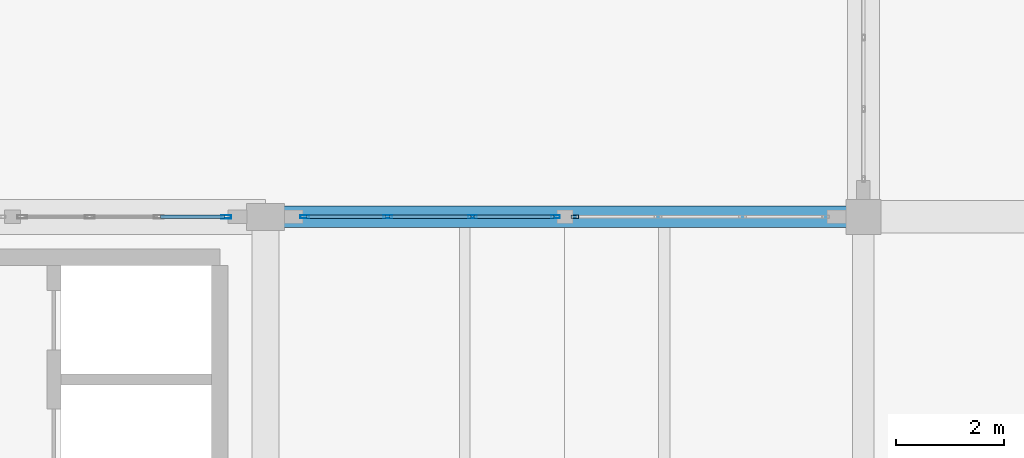
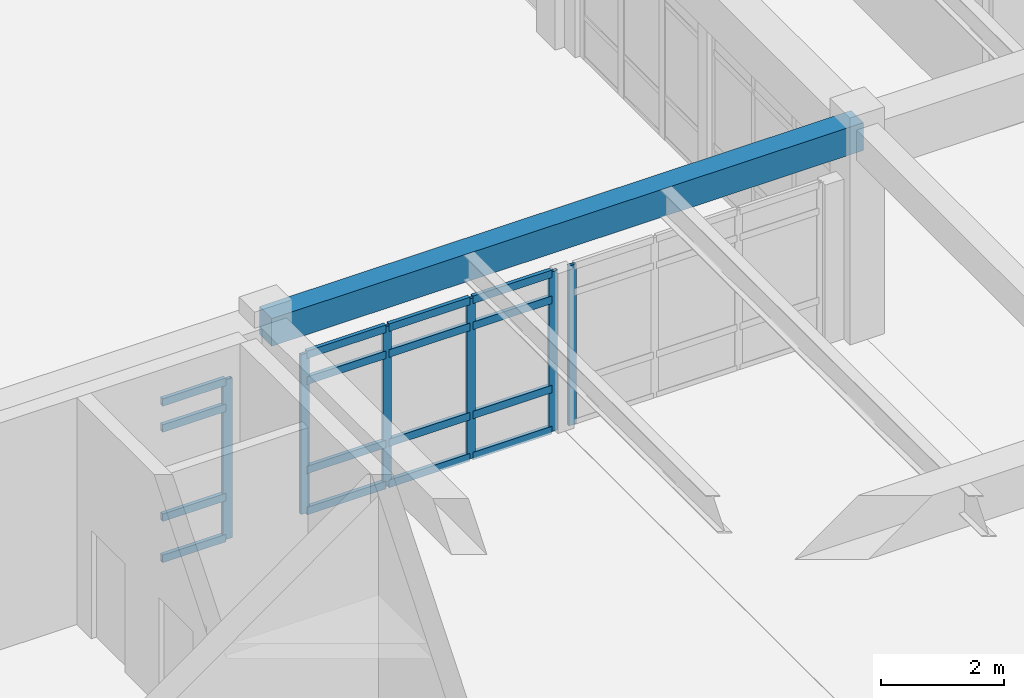
# One storey, part 26 of 109: 22 members, 1 beam, 3 elements without a shape of their own.
"""IFC4 building model written with IfcOpenShell, lengths in metres."""

import ifcopenshell
import ifcopenshell.guid

model = None  # the IFC model being written
_history = None  # IfcOwnerHistory: only IFC2X3 demands one
_inside = {}  # id of a spatial element -> (the spatial element, [elements in it])
_under = {}  # id of a project, library or spatial element -> (it, [spatial elements below it])
_declared = {}  # id of a project -> (the project, [libraries it declares])
_typed = {}  # id of a type object -> (the type object, [elements of that type])
_made_of = {}  # id of a material, layer set ... -> (it, [elements and type objects made of it])


def new_model(schema):
    """Start an empty IFC model of exactly this schema.

    Asked for "IFC4X3", IfcOpenShell would pick the latest addendum, in which some entities
    have other attributes; the version numbers below select the first issue.
    IFC2X3 requires an IfcOwnerHistory on every rooted entity: one is made here for all.
    """
    global model, _history
    if schema == "IFC4X3":
        model = ifcopenshell.file(schema_version=(4, 3, 0, 0))
    else:
        model = ifcopenshell.file(schema=schema)
    _inside.clear()
    _under.clear()
    _declared.clear()
    _typed.clear()
    _made_of.clear()
    _history = None
    if model.schema == "IFC2X3":
        org = make("IfcOrganization", Name="unknown")
        user = make(
            "IfcPersonAndOrganization",
            ThePerson=make("IfcPerson", FamilyName="unknown"),
            TheOrganization=org,
        )
        app = make(
            "IfcApplication",
            ApplicationDeveloper=org,
            Version="unknown",
            ApplicationFullName="unknown",
            ApplicationIdentifier="unknown",
        )
        _history = make(
            "IfcOwnerHistory",
            OwningUser=user,
            OwningApplication=app,
            ChangeAction="ADDED",
            CreationDate=0,
        )
    return model


def make(cls, **values):
    """One entity of the class cls with the attributes given. An attribute that is None is left unset."""
    return model.create_entity(
        cls, **{name: value for name, value in values.items() if value is not None}
    )


def rooted(cls, **values):
    """An entity with a GlobalId (a new one), such as an element, a storey or a relation."""
    return make(cls, GlobalId=ifcopenshell.guid.new(), OwnerHistory=_history, **values)


def si_unit(unit_type, name, prefix=None):
    """IfcSIUnit, for example si_unit("LENGTHUNIT", "METRE", prefix="MILLI")."""
    return make("IfcSIUnit", UnitType=unit_type, Prefix=prefix, Name=name)


def assignment(units):
    """IfcUnitAssignment: the units of a project."""
    return None if units is None else make("IfcUnitAssignment", Units=units)


def point(xyz):
    """IfcCartesianPoint."""
    return None if xyz is None else make("IfcCartesianPoint", Coordinates=xyz)


def direction(xyz):
    """IfcDirection."""
    return None if xyz is None else make("IfcDirection", DirectionRatios=xyz)


def frame(location, z_axis=None, x_axis=None):
    """IfcAxis2Placement3D, a coordinate frame: its origin and axes. An axis left out is left unset."""
    return make(
        "IfcAxis2Placement3D",
        Location=point(location),
        Axis=direction(z_axis),
        RefDirection=direction(x_axis),
    )


def frame_2d(location, x_axis=None):
    """IfcAxis2Placement2D, a coordinate frame in the plane: its origin and x axis."""
    return make(
        "IfcAxis2Placement2D", Location=point(location), RefDirection=direction(x_axis)
    )


def origin():
    """The frame at (0, 0, 0) with its axes left unset."""
    return frame((0.0, 0.0, 0.0))


def origin_2d():
    """The frame at (0, 0) in the plane with its x axis left unset."""
    return frame_2d((0.0, 0.0))


def place(relative_to, where):
    """IfcLocalPlacement: puts the frame where relative to a parent placement (None: the world)."""
    return make(
        "IfcLocalPlacement", PlacementRelTo=relative_to, RelativePlacement=where
    )


def context(
    kind, dimensions, precision=None, world=None, true_north=None, identifier=None
):
    """IfcGeometricRepresentationContext, for example the 3D "Model" context."""
    return make(
        "IfcGeometricRepresentationContext",
        ContextIdentifier=identifier,
        ContextType=kind,
        CoordinateSpaceDimension=dimensions,
        Precision=precision,
        WorldCoordinateSystem=world,
        TrueNorth=true_north,
    )


def subcontext(parent, identifier, kind, view, scale=None):
    """IfcGeometricRepresentationSubContext, for example "Body" below "Model"."""
    return make(
        "IfcGeometricRepresentationSubContext",
        ContextIdentifier=identifier,
        ContextType=kind,
        ParentContext=parent,
        TargetScale=scale,
        TargetView=view,
    )


def project(units=None, contexts=None):
    """IfcProject with its units and contexts."""
    return rooted(
        "IfcProject",
        Name="project",
        RepresentationContexts=contexts,
        UnitsInContext=assignment(units),
    )


def spatial(cls, under=None, at=None, **own):
    """A site, building, storey or space (cls), placed at a placement, below another one or the project."""
    s = rooted(cls, ObjectPlacement=at, **own)
    if under is not None:
        _under.setdefault(under.id(), (under, []))[1].append(s)
    return s


def profile(cls, at=None, kind="AREA", **sizes):
    """A parametric profile (cls). Its sizes go by their IFC names, for example OverallWidth=200.0."""
    return make(cls, ProfileType=kind, Position=at, **sizes)


def rectangle(**sizes):
    """IfcRectangleProfileDef."""
    return profile("IfcRectangleProfileDef", **sizes)


def hollow_rectangle(**sizes):
    """IfcRectangleHollowProfileDef."""
    return profile("IfcRectangleHollowProfileDef", **sizes)


def extrude(swept, where, along, depth):
    """IfcExtrudedAreaSolid: the profile swept, set in the frame where, extruded along a direction by depth."""
    return make(
        "IfcExtrudedAreaSolid",
        SweptArea=swept,
        Position=where,
        ExtrudedDirection=direction(along),
        Depth=depth,
    )


def shape(context_of_items, identifier, shape_type, items):
    """IfcShapeRepresentation: the items that make up one representation, for example the "Body"."""
    return make(
        "IfcShapeRepresentation",
        ContextOfItems=context_of_items,
        RepresentationIdentifier=identifier,
        RepresentationType=shape_type,
        Items=items,
    )


def material(Name=None, Category=None):
    """IfcMaterial."""
    return make("IfcMaterial", Name=Name, Category=Category)


def layer(
    of_material, thickness, ventilated=None, Name=None, Category=None, Priority=None
):
    """IfcMaterialLayer: one layer of a wall or slab, of a material (None: an air gap)."""
    return make(
        "IfcMaterialLayer",
        Material=of_material,
        LayerThickness=thickness,
        IsVentilated=ventilated,
        Name=Name,
        Category=Category,
        Priority=Priority,
    )


def layer_set(layers, Name=None):
    """IfcMaterialLayerSet."""
    return make("IfcMaterialLayerSet", MaterialLayers=layers, LayerSetName=Name)


def material_profile(
    of_material, cross_section, Name=None, Category=None, Priority=None
):
    """IfcMaterialProfile: a cross section and its material."""
    return make(
        "IfcMaterialProfile",
        Name=Name,
        Material=of_material,
        Profile=cross_section,
        Priority=Priority,
        Category=Category,
    )


def profile_set(profiles, Name=None, composite=None):
    """IfcMaterialProfileSet."""
    return make(
        "IfcMaterialProfileSet",
        Name=Name,
        MaterialProfiles=profiles,
        CompositeProfile=composite,
    )


def made_of(thing, what):
    """Note that an element or type object is made of a material, layer set ...; save() writes the relation."""
    if what is not None:
        _made_of.setdefault(what.id(), (what, []))[1].append(thing)
    return thing


def type_object(cls, material=None, **own):
    """A type object (cls), such as IfcWallType, which elements share."""
    return made_of(rooted(cls, **own), material)


def element(
    cls,
    number,
    at=None,
    inside=None,
    cuts=None,
    type_object=None,
    material=None,
    context=None,
    identifier="Body",
    shape_type=None,
    held_by="IfcProductDefinitionShape",
    body=None,
    shapes=None,
    **own,
):
    """One element of the class cls, such as IfcWall. Its Tag is "e" and its number.

    at: its placement. inside: the storey or other place that contains it. cuts: it is an
    opening in that element (IfcRelVoidsElement). A single representation is given by context,
    identifier, shape_type and body (its items); several are given by shapes. held_by: the class
    of the entity that holds the representations. save() writes the other relations.
    """
    e = rooted(cls, Tag="e%d" % number, ObjectPlacement=at, **own)
    if body is not None:
        shapes = [shape(context, identifier, shape_type, body)]
    if shapes is not None:
        e.Representation = make(held_by, Representations=shapes)
    if inside is not None:
        _inside.setdefault(inside.id(), (inside, []))[1].append(e)
    if cuts is not None:
        rooted(
            "IfcRelVoidsElement", RelatingBuildingElement=cuts, RelatedOpeningElement=e
        )
    if type_object is not None:
        _typed.setdefault(type_object.id(), (type_object, []))[1].append(e)
    return made_of(e, material)


def aggregate(whole, parts):
    """IfcRelAggregates: a whole, such as a stair, and the parts it consists of."""
    return rooted("IfcRelAggregates", RelatingObject=whole, RelatedObjects=parts)


def save(model, path):
    """Write the relations noted so far, then the file.

    IfcRelAggregates (storeys below a building ...), IfcRelContainedInSpatialStructure (elements
    in a storey), IfcRelDefinesByType, IfcRelAssociatesMaterial and IfcRelDeclares: one each for
    every whole, place, type object, material and project.
    """
    for whole, parts in _under.values():
        aggregate(whole, parts)
    for where, things in _inside.values():
        rooted(
            "IfcRelContainedInSpatialStructure",
            RelatedElements=things,
            RelatingStructure=where,
        )
    for kind, things in _typed.values():
        rooted("IfcRelDefinesByType", RelatedObjects=things, RelatingType=kind)
    for what, things in _made_of.values():
        rooted("IfcRelAssociatesMaterial", RelatedObjects=things, RelatingMaterial=what)
    for by, libraries in _declared.values():
        rooted("IfcRelDeclares", RelatingContext=by, RelatedDefinitions=libraries)
    model.write(path)


model = new_model("IFC4")

# Units and contexts
model_context = context("Model", 3, precision=1e-05, world=origin(), true_north=direction((0.0, 1.0)))
body_context = subcontext(model_context, "Body", "Model", "MODEL_VIEW")
ifc_project = project(units=[si_unit("LENGTHUNIT", "METRE"), si_unit("AREAUNIT", "SQUARE_METRE"), si_unit("VOLUMEUNIT", "CUBIC_METRE"), si_unit("PLANEANGLEUNIT", "RADIAN"), si_unit("MASSUNIT", "GRAM", prefix="KILO")], contexts=[model_context])

# Site, building, storey
site_placement = place(None, origin())
site = spatial("IfcSite", under=ifc_project, at=site_placement, CompositionType="ELEMENT")
building_placement = place(site_placement, origin())
building = spatial("IfcBuilding", under=site, at=building_placement, Name="Fikremerkos Civic Library", CompositionType="ELEMENT")
storey_placement = place(building_placement, frame((0.0, 0.0, 5.39990234375)))
storey = spatial("IfcBuildingStorey", under=building, at=storey_placement, Name="L01", CompositionType="ELEMENT", Elevation=5.39990234375)

# Curtain wall, member
ifc_material_1 = material(Name="Anodized aluminium Frame", Category="aluminium")
ifc_layer_1 = layer(ifc_material_1, 0.159912109375, Name="Anodized aluminium Frame")
ifc_layer_set_1 = layer_set([ifc_layer_1], Name="Anodized aluminium Frame")
curtain_wall_type_1 = type_object("IfcCurtainWallType", Name="Unitised curtain wall CW-09 3600x3400", PredefinedType="USERDEFINED", material=ifc_layer_set_1)
curtain_wall_1_placement = place(storey_placement, origin())
curtain_wall_1 = element("IfcCurtainWall", 1, at=curtain_wall_1_placement, inside=storey, type_object=curtain_wall_type_1, Name="Unitised curtain wall CW-09 L01 #99", ObjectType="UNITISED CURTAIN WALL", PredefinedType="USERDEFINED")
ifc_material_profile_1 = material_profile(ifc_material_1, hollow_rectangle(XDim=0.06494140625, YDim=0.179931640625, WallThickness=0.00439453125, at=origin_2d()), Name="ALU 180x65x4.5")
ifc_profile_set_1 = profile_set([ifc_material_profile_1], Name="Anodized aluminium Frame")
member_type_1 = type_object("IfcMemberType", Name="Curtain mullion CWM-01 ALU 180x65x4.5", PredefinedType="MULLION", material=ifc_profile_set_1)
member_1_placement = place(storey_placement, frame((112.969482421875, 31.199951171875, 0.0), z_axis=(0.0, 0.0, 1.0), x_axis=(0.0, 1.0, 0.0)))
member_1 = element("IfcMember", 2, at=member_1_placement, type_object=member_type_1, Name="CW-09 mullion 4", PredefinedType="MULLION", context=body_context, shape_type="SweptSolid", body=[
    extrude(hollow_rectangle(XDim=0.06494140625, YDim=0.179931640625, WallThickness=0.00439453125, at=origin_2d()), origin(), (0.0, 0.0, 1.0), 3.170166015625),
])

# Curtain wall, members
ifc_layer_2 = layer(ifc_material_1, 0.159912109375, Name="Anodized aluminium Frame")
ifc_layer_set_2 = layer_set([ifc_layer_2], Name="Anodized aluminium Frame")
curtain_wall_type_2 = type_object("IfcCurtainWallType", Name="Unitised curtain wall CW-10 4000x3400", PredefinedType="USERDEFINED", material=ifc_layer_set_2)
curtain_wall_2_placement = place(storey_placement, origin())
curtain_wall_2 = element("IfcCurtainWall", 3, at=curtain_wall_2_placement, inside=storey, type_object=curtain_wall_type_2, Name="Unitised curtain wall CW-10 L01 #100", ObjectType="UNITISED CURTAIN WALL", PredefinedType="USERDEFINED")
ifc_material_profile_2 = material_profile(ifc_material_1, hollow_rectangle(XDim=0.06005859375, YDim=0.159912109375, WallThickness=0.00390625, at=origin_2d()), Name="ALU 160x60x4")
ifc_profile_set_2 = profile_set([ifc_material_profile_2], Name="Anodized aluminium Frame")
member_type_2 = type_object("IfcMemberType", Name="Curtain mullion CWM-02 ALU 160x60x4", PredefinedType="MULLION", material=ifc_profile_set_2)
member_2_placement = place(storey_placement, frame((114.427978515625, 31.199951171875, 0.0), z_axis=(0.0, 0.0, 1.0), x_axis=(0.0, 1.0, 0.0)))
member_2 = element("IfcMember", 4, at=member_2_placement, type_object=member_type_2, Name="CW-10 mullion 1", PredefinedType="MULLION", context=body_context, shape_type="SweptSolid", body=[
    extrude(hollow_rectangle(XDim=0.06005859375, YDim=0.159912109375, WallThickness=0.00390625, at=origin_2d()), origin(), (0.0, 0.0, 1.0), 3.170166015625),
])
member_3_placement = place(storey_placement, frame((115.969482421875, 31.199951171875, 0.0), z_axis=(0.0, 0.0, 1.0), x_axis=(0.0, 1.0, 0.0)))
member_3 = element("IfcMember", 5, at=member_3_placement, type_object=member_type_2, Name="CW-10 mullion 2", PredefinedType="MULLION", context=body_context, shape_type="SweptSolid", body=[
    extrude(hollow_rectangle(XDim=0.06005859375, YDim=0.159912109375, WallThickness=0.00390625, at=origin_2d()), origin(), (0.0, 0.0, 1.0), 3.170166015625),
])
member_4_placement = place(storey_placement, frame((117.541015625, 31.199951171875, 0.0), z_axis=(0.0, 0.0, 1.0), x_axis=(0.0, 1.0, 0.0)))
member_4 = element("IfcMember", 6, at=member_4_placement, type_object=member_type_2, Name="CW-10 mullion 3", PredefinedType="MULLION", context=body_context, shape_type="SweptSolid", body=[
    extrude(hollow_rectangle(XDim=0.06005859375, YDim=0.159912109375, WallThickness=0.00390625, at=origin_2d()), origin(), (0.0, 0.0, 1.0), 3.170166015625),
])
member_5_placement = place(storey_placement, frame((119.08251953125, 31.199951171875, 0.0), z_axis=(0.0, 0.0, 1.0), x_axis=(0.0, 1.0, 0.0)))
member_5 = element("IfcMember", 7, at=member_5_placement, type_object=member_type_2, Name="CW-10 mullion 4", PredefinedType="MULLION", context=body_context, shape_type="SweptSolid", body=[
    extrude(hollow_rectangle(XDim=0.06005859375, YDim=0.159912109375, WallThickness=0.00390625, at=origin_2d()), origin(), (0.0, 0.0, 1.0), 3.170166015625),
])

# Curtain wall, member
ifc_layer_3 = layer(ifc_material_1, 0.159912109375, Name="Anodized aluminium Frame")
ifc_layer_set_3 = layer_set([ifc_layer_3], Name="Anodized aluminium Frame")
curtain_wall_type_3 = type_object("IfcCurtainWallType", Name="Unitised curtain wall CW-11 3200x3400", PredefinedType="USERDEFINED", material=ifc_layer_set_3)
curtain_wall_3_placement = place(storey_placement, origin())
curtain_wall_3 = element("IfcCurtainWall", 8, at=curtain_wall_3_placement, inside=storey, type_object=curtain_wall_type_3, Name="Unitised curtain wall CW-11 L01 #101", ObjectType="UNITISED CURTAIN WALL", PredefinedType="USERDEFINED")
ifc_material_profile_3 = material_profile(ifc_material_1, hollow_rectangle(XDim=0.06005859375, YDim=0.139892578125, WallThickness=0.00390625, at=origin_2d()), Name="ALU 140x60x4")
ifc_profile_set_3 = profile_set([ifc_material_profile_3], Name="Anodized aluminium Frame")
member_type_3 = type_object("IfcMemberType", Name="Curtain mullion CWM-03 ALU 140x60x4", PredefinedType="MULLION", material=ifc_profile_set_3)
member_6_placement = place(storey_placement, frame((119.4423828125, 31.199951171875, 0.0), z_axis=(0.0, 0.0, 1.0), x_axis=(0.0, 1.0, 0.0)))
member_6 = element("IfcMember", 9, at=member_6_placement, type_object=member_type_3, Name="CW-11 mullion 1", PredefinedType="MULLION", context=body_context, shape_type="SweptSolid", body=[
    extrude(hollow_rectangle(XDim=0.06005859375, YDim=0.139892578125, WallThickness=0.00390625, at=origin_2d()), origin(), (0.0, 0.0, 1.0), 3.170166015625),
])
aggregate(curtain_wall_3, [member_6])

# Member
ifc_material_profile_4 = material_profile(ifc_material_1, hollow_rectangle(XDim=0.070068359375, YDim=0.14990234375, WallThickness=0.00439453125, at=origin_2d()), Name="ALU 150x70x4.5")
ifc_profile_set_4 = profile_set([ifc_material_profile_4], Name="Anodized aluminium Frame")
member_type_4 = type_object("IfcMemberType", Name="Curtain transom CWT-01 ALU 150x70x4.5", PredefinedType="USERDEFINED", material=ifc_profile_set_4)
member_7_placement = place(storey_placement, frame((111.750732421875, 31.199951171875, 0.03515625), z_axis=(1.0, 0.0, 0.0), x_axis=(0.0, 1.0, 0.0)))
member_7 = element("IfcMember", 10, at=member_7_placement, type_object=member_type_4, Name="CW-09 transom 3.1", ObjectType="TRANSOM", PredefinedType="USERDEFINED", context=body_context, shape_type="SweptSolid", body=[
    extrude(hollow_rectangle(XDim=0.070068359375, YDim=0.14990234375, WallThickness=0.00439453125, at=origin_2d()), origin(), (0.0, 0.0, 1.0), 1.186279296875),
])

member_8_placement = place(storey_placement, frame((111.750732421875, 31.199951171875, 0.85009765625), z_axis=(1.0, 0.0, 0.0), x_axis=(0.0, 1.0, 0.0)))
member_8 = element("IfcMember", 11, at=member_8_placement, type_object=member_type_4, Name="CW-09 transom 3.2", ObjectType="TRANSOM", PredefinedType="USERDEFINED", context=body_context, shape_type="SweptSolid", body=[
    extrude(hollow_rectangle(XDim=0.070068359375, YDim=0.14990234375, WallThickness=0.00439453125, at=origin_2d()), origin(), (0.0, 0.0, 1.0), 1.186279296875),
])

member_9_placement = place(storey_placement, frame((111.750732421875, 31.199951171875, 2.6201171875), z_axis=(1.0, 0.0, 0.0), x_axis=(0.0, 1.0, 0.0)))
member_9 = element("IfcMember", 12, at=member_9_placement, type_object=member_type_4, Name="CW-09 transom 3.3", ObjectType="TRANSOM", PredefinedType="USERDEFINED", context=body_context, shape_type="SweptSolid", body=[
    extrude(hollow_rectangle(XDim=0.070068359375, YDim=0.14990234375, WallThickness=0.00439453125, at=origin_2d()), origin(), (0.0, 0.0, 1.0), 1.186279296875),
])

member_10_placement = place(storey_placement, frame((111.750732421875, 31.199951171875, 3.135009765625), z_axis=(1.0, 0.0, 0.0), x_axis=(0.0, 1.0, 0.0)))
member_10 = element("IfcMember", 13, at=member_10_placement, type_object=member_type_4, Name="CW-09 transom 3.4", ObjectType="TRANSOM", PredefinedType="USERDEFINED", context=body_context, shape_type="SweptSolid", body=[
    extrude(hollow_rectangle(XDim=0.070068359375, YDim=0.14990234375, WallThickness=0.00439453125, at=origin_2d()), origin(), (0.0, 0.0, 1.0), 1.186279296875),
])

aggregate(curtain_wall_1, [member_1, member_7, member_8, member_9, member_10])

member_11_placement = place(storey_placement, frame((114.4580078125, 31.199951171875, 0.03515625), z_axis=(1.0, 0.0, 0.0), x_axis=(0.0, 1.0, 0.0)))
member_11 = element("IfcMember", 14, at=member_11_placement, type_object=member_type_4, Name="CW-10 transom 1.1", ObjectType="TRANSOM", PredefinedType="USERDEFINED", context=body_context, shape_type="SweptSolid", body=[
    extrude(hollow_rectangle(XDim=0.070068359375, YDim=0.14990234375, WallThickness=0.00439453125, at=origin_2d()), origin(), (0.0, 0.0, 1.0), 1.4814453125),
])

member_12_placement = place(storey_placement, frame((114.4580078125, 31.199951171875, 0.85009765625), z_axis=(1.0, 0.0, 0.0), x_axis=(0.0, 1.0, 0.0)))
member_12 = element("IfcMember", 15, at=member_12_placement, type_object=member_type_4, Name="CW-10 transom 1.2", ObjectType="TRANSOM", PredefinedType="USERDEFINED", context=body_context, shape_type="SweptSolid", body=[
    extrude(hollow_rectangle(XDim=0.070068359375, YDim=0.14990234375, WallThickness=0.00439453125, at=origin_2d()), origin(), (0.0, 0.0, 1.0), 1.4814453125),
])

member_13_placement = place(storey_placement, frame((114.4580078125, 31.199951171875, 2.6201171875), z_axis=(1.0, 0.0, 0.0), x_axis=(0.0, 1.0, 0.0)))
member_13 = element("IfcMember", 16, at=member_13_placement, type_object=member_type_4, Name="CW-10 transom 1.3", ObjectType="TRANSOM", PredefinedType="USERDEFINED", context=body_context, shape_type="SweptSolid", body=[
    extrude(hollow_rectangle(XDim=0.070068359375, YDim=0.14990234375, WallThickness=0.00439453125, at=origin_2d()), origin(), (0.0, 0.0, 1.0), 1.4814453125),
])

member_14_placement = place(storey_placement, frame((114.4580078125, 31.199951171875, 3.135009765625), z_axis=(1.0, 0.0, 0.0), x_axis=(0.0, 1.0, 0.0)))
member_14 = element("IfcMember", 17, at=member_14_placement, type_object=member_type_4, Name="CW-10 transom 1.4", ObjectType="TRANSOM", PredefinedType="USERDEFINED", context=body_context, shape_type="SweptSolid", body=[
    extrude(hollow_rectangle(XDim=0.070068359375, YDim=0.14990234375, WallThickness=0.00439453125, at=origin_2d()), origin(), (0.0, 0.0, 1.0), 1.4814453125),
])

member_15_placement = place(storey_placement, frame((115.99951171875, 31.199951171875, 0.03515625), z_axis=(1.0, 0.0, 0.0), x_axis=(0.0, 1.0, 0.0)))
member_15 = element("IfcMember", 18, at=member_15_placement, type_object=member_type_4, Name="CW-10 transom 2.1", ObjectType="TRANSOM", PredefinedType="USERDEFINED", context=body_context, shape_type="SweptSolid", body=[
    extrude(hollow_rectangle(XDim=0.070068359375, YDim=0.14990234375, WallThickness=0.00439453125, at=origin_2d()), origin(), (0.0, 0.0, 1.0), 1.511474609375),
])

member_16_placement = place(storey_placement, frame((115.99951171875, 31.199951171875, 0.85009765625), z_axis=(1.0, 0.0, 0.0), x_axis=(0.0, 1.0, 0.0)))
member_16 = element("IfcMember", 19, at=member_16_placement, type_object=member_type_4, Name="CW-10 transom 2.2", ObjectType="TRANSOM", PredefinedType="USERDEFINED", context=body_context, shape_type="SweptSolid", body=[
    extrude(hollow_rectangle(XDim=0.070068359375, YDim=0.14990234375, WallThickness=0.00439453125, at=origin_2d()), origin(), (0.0, 0.0, 1.0), 1.511474609375),
])

member_17_placement = place(storey_placement, frame((115.99951171875, 31.199951171875, 2.6201171875), z_axis=(1.0, 0.0, 0.0), x_axis=(0.0, 1.0, 0.0)))
member_17 = element("IfcMember", 20, at=member_17_placement, type_object=member_type_4, Name="CW-10 transom 2.3", ObjectType="TRANSOM", PredefinedType="USERDEFINED", context=body_context, shape_type="SweptSolid", body=[
    extrude(hollow_rectangle(XDim=0.070068359375, YDim=0.14990234375, WallThickness=0.00439453125, at=origin_2d()), origin(), (0.0, 0.0, 1.0), 1.511474609375),
])

member_18_placement = place(storey_placement, frame((115.99951171875, 31.199951171875, 3.135009765625), z_axis=(1.0, 0.0, 0.0), x_axis=(0.0, 1.0, 0.0)))
member_18 = element("IfcMember", 21, at=member_18_placement, type_object=member_type_4, Name="CW-10 transom 2.4", ObjectType="TRANSOM", PredefinedType="USERDEFINED", context=body_context, shape_type="SweptSolid", body=[
    extrude(hollow_rectangle(XDim=0.070068359375, YDim=0.14990234375, WallThickness=0.00439453125, at=origin_2d()), origin(), (0.0, 0.0, 1.0), 1.511474609375),
])

member_19_placement = place(storey_placement, frame((117.571044921875, 31.199951171875, 0.03515625), z_axis=(1.0, 0.0, 0.0), x_axis=(0.0, 1.0, 0.0)))
member_19 = element("IfcMember", 22, at=member_19_placement, type_object=member_type_4, Name="CW-10 transom 3.1", ObjectType="TRANSOM", PredefinedType="USERDEFINED", context=body_context, shape_type="SweptSolid", body=[
    extrude(hollow_rectangle(XDim=0.070068359375, YDim=0.14990234375, WallThickness=0.00439453125, at=origin_2d()), origin(), (0.0, 0.0, 1.0), 1.4814453125),
])

member_20_placement = place(storey_placement, frame((117.571044921875, 31.199951171875, 0.85009765625), z_axis=(1.0, 0.0, 0.0), x_axis=(0.0, 1.0, 0.0)))
member_20 = element("IfcMember", 23, at=member_20_placement, type_object=member_type_4, Name="CW-10 transom 3.2", ObjectType="TRANSOM", PredefinedType="USERDEFINED", context=body_context, shape_type="SweptSolid", body=[
    extrude(hollow_rectangle(XDim=0.070068359375, YDim=0.14990234375, WallThickness=0.00439453125, at=origin_2d()), origin(), (0.0, 0.0, 1.0), 1.4814453125),
])

member_21_placement = place(storey_placement, frame((117.571044921875, 31.199951171875, 2.6201171875), z_axis=(1.0, 0.0, 0.0), x_axis=(0.0, 1.0, 0.0)))
member_21 = element("IfcMember", 24, at=member_21_placement, type_object=member_type_4, Name="CW-10 transom 3.3", ObjectType="TRANSOM", PredefinedType="USERDEFINED", context=body_context, shape_type="SweptSolid", body=[
    extrude(hollow_rectangle(XDim=0.070068359375, YDim=0.14990234375, WallThickness=0.00439453125, at=origin_2d()), origin(), (0.0, 0.0, 1.0), 1.4814453125),
])

member_22_placement = place(storey_placement, frame((117.571044921875, 31.199951171875, 3.135009765625), z_axis=(1.0, 0.0, 0.0), x_axis=(0.0, 1.0, 0.0)))
member_22 = element("IfcMember", 25, at=member_22_placement, type_object=member_type_4, Name="CW-10 transom 3.4", ObjectType="TRANSOM", PredefinedType="USERDEFINED", context=body_context, shape_type="SweptSolid", body=[
    extrude(hollow_rectangle(XDim=0.070068359375, YDim=0.14990234375, WallThickness=0.00439453125, at=origin_2d()), origin(), (0.0, 0.0, 1.0), 1.4814453125),
])

aggregate(curtain_wall_2, [member_2, member_3, member_4, member_5, member_11, member_12, member_13, member_14, member_15, member_16, member_17, member_18, member_19, member_20, member_21, member_22])

# Beam
ifc_material_2 = material(Name="Concrete C40/50", Category="concrete")
ifc_material_profile_5 = material_profile(ifc_material_2, rectangle(XDim=0.39990234375, YDim=0.550048828125, at=origin_2d()), Name="RC 400x550")
ifc_profile_set_5 = profile_set([ifc_material_profile_5], Name="Concrete C40/50")
beam_type = type_object("IfcBeamType", Name="Primary girder BM-26 RC 400x550", PredefinedType="BEAM", material=ifc_profile_set_5)
beam_placement = place(storey_placement, frame((113.699951171875, 31.199951171875, 3.945068359375), z_axis=(1.0, 0.0, 0.0), x_axis=(0.0, 1.0, 0.0)))
element("IfcBeam", 26, at=beam_placement, inside=storey, type_object=beam_type, Name="Primary girder BM-26 L01 grid G", PredefinedType="BEAM", context=body_context, shape_type="SweptSolid", body=[
    extrude(rectangle(XDim=0.39990234375, YDim=0.550048828125, at=origin_2d()), origin(), (0.0, 0.0, 1.0), 11.10009765625),
])

save(model, "model.ifc")
